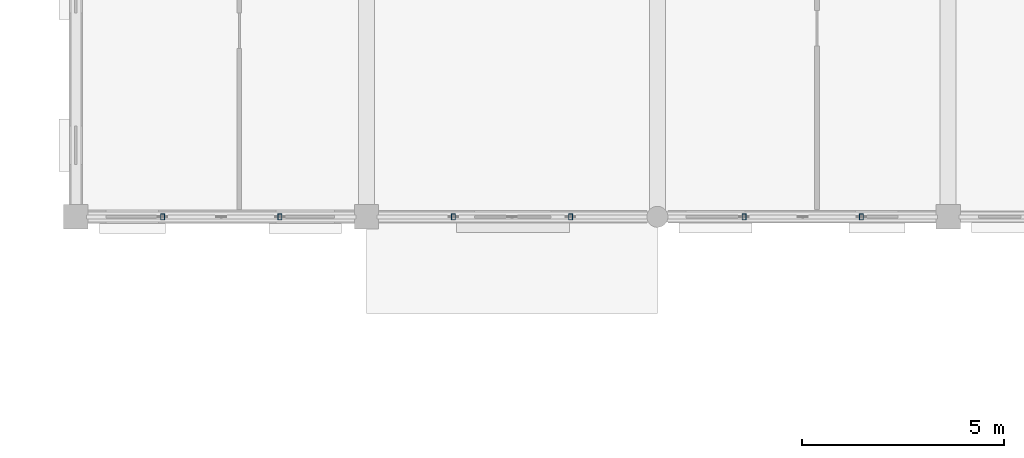
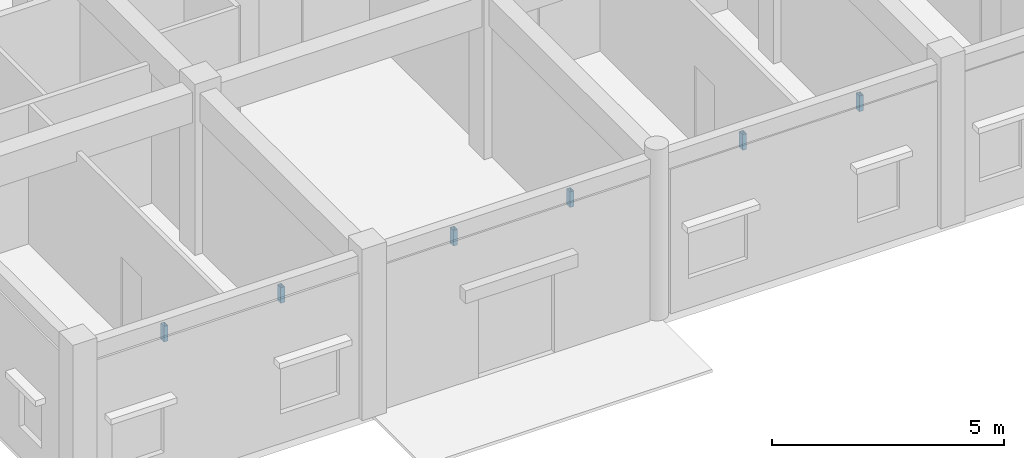
# One storey, part 55 of 138: 6 members.
"""IFC4 building model written with IfcOpenShell, lengths in metres."""

from ifc_helpers import new_model, si_unit, direction, frame, origin, origin_2d, place, context, subcontext, project, spatial, hollow_rectangle, extrude, material, material_profile, profile_set, type_object, element, save


model = new_model("IFC4")

# Units and contexts
model_context = context("Model", 3, precision=1e-05, world=origin(), true_north=direction((0.0, 1.0)))
body_context = subcontext(model_context, "Body", "Model", "MODEL_VIEW")
ifc_project = project(units=[si_unit("LENGTHUNIT", "METRE"), si_unit("AREAUNIT", "SQUARE_METRE"), si_unit("VOLUMEUNIT", "CUBIC_METRE"), si_unit("PLANEANGLEUNIT", "RADIAN"), si_unit("MASSUNIT", "GRAM", prefix="KILO"), si_unit("THERMODYNAMICTEMPERATUREUNIT", "KELVIN"), si_unit("POWERUNIT", "WATT")], contexts=[model_context])

# Site, building, storey
site_placement = place(None, origin())
site = spatial("IfcSite", under=ifc_project, at=site_placement, CompositionType="ELEMENT")
building_placement = place(site_placement, origin())
building = spatial("IfcBuilding", under=site, at=building_placement, Name="Tavuni Mirador Residences", CompositionType="ELEMENT")
storey_placement = place(building_placement, origin())
storey = spatial("IfcBuildingStorey", under=building, at=storey_placement, Name="L00", CompositionType="ELEMENT", Elevation=0.0)

# Members
ifc_material = material(Name="Structural steel S355", Category="steel")
ifc_material_profile = material_profile(ifc_material, hollow_rectangle(XDim=0.10009765625, YDim=0.14990234375, WallThickness=0.008056640625, at=origin_2d()), Name="RHS 150x100x8.0", Category="steel")
ifc_profile_set = profile_set([ifc_material_profile], Name="Structural steel S355")
member_type = type_object("IfcMemberType", Name="MT-BR-RHS150", PredefinedType="BRACE", material=ifc_profile_set)
for number, where, z_axis, x_axis, name in (
    (1, (12.947998046875, 144.0, 3.612060546875), (0.0, 0.0, 1.0), (1.0, 0.0, 0.0), "ARCH-BLKC-S-00-V1"),
    (2, (15.85205078125, 144.0, 3.612060546875), (0.0, 0.0, 1.0), (1.0, 0.0, 0.0), "ARCH-BLKC-S-00-V2"),
    (3, (20.14794921875, 144.0, 3.612060546875), (0.0, 0.0, 1.0), (1.0, 0.0, 0.0), "ARCH-BLKC-S-01-V1"),
    (4, (23.052001953125, 144.0, 3.612060546875), (0.0, 0.0, 1.0), (1.0, 0.0, 0.0), "ARCH-BLKC-S-01-V2"),
    (5, (27.347900390625, 144.0, 3.612060546875), (0.0, 0.0, 1.0), (1.0, 0.0, 0.0), "ARCH-BLKC-S-02-V1"),
    (6, (30.251953125, 144.0, 3.612060546875), (0.0, 0.0, 1.0), (1.0, 0.0, 0.0), "ARCH-BLKC-S-02-V2"),
):
    element("IfcMember", number, at=place(storey_placement, frame(where, z_axis=z_axis, x_axis=x_axis)), inside=storey, type_object=member_type, Name=name, PredefinedType="BRACE", context=body_context, shape_type="SweptSolid", body=[
        extrude(hollow_rectangle(XDim=0.10009765625, YDim=0.14990234375, WallThickness=0.008056640625, at=origin_2d()), origin(), (0.0, 0.0, 1.0), 0.412841796875),
    ])

save(model, "model.ifc")
